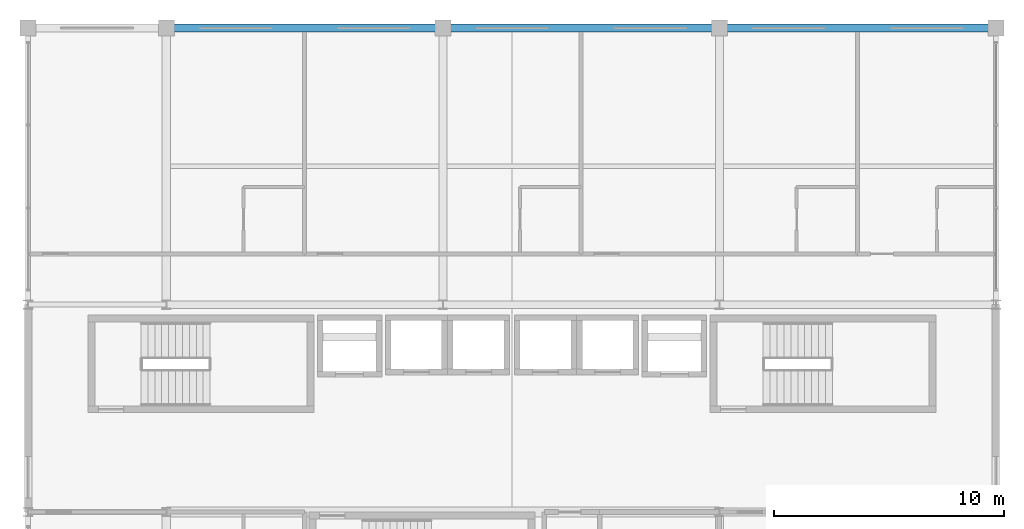
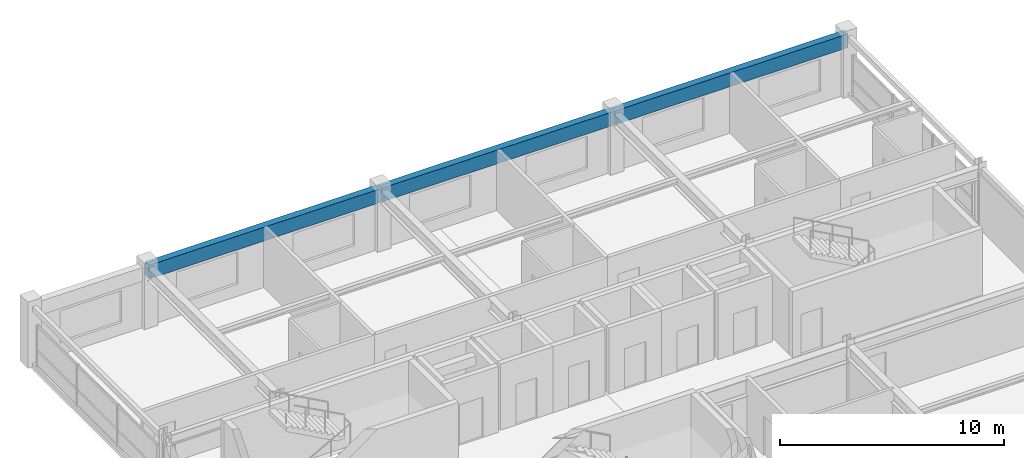
# One storey, part 16 of 22: 3 beams.
"""IFC4 building model written with IfcOpenShell, lengths in metres."""

from ifc_helpers import new_model, si_unit, direction, frame, origin, origin_2d, place, context, subcontext, project, spatial, rectangle, extrude, material, material_profile, profile_set, type_object, element, save


model = new_model("IFC4")

# Units and contexts
model_context = context("Model", 3, precision=1e-05, world=origin(), true_north=direction((0.0, 1.0)))
body_context = subcontext(model_context, "Body", "Model", "MODEL_VIEW")
ifc_project = project(units=[si_unit("LENGTHUNIT", "METRE"), si_unit("AREAUNIT", "SQUARE_METRE"), si_unit("VOLUMEUNIT", "CUBIC_METRE"), si_unit("PLANEANGLEUNIT", "RADIAN"), si_unit("MASSUNIT", "GRAM", prefix="KILO")], contexts=[model_context])

# Site, building, storey
site_placement = place(None, origin())
site = spatial("IfcSite", under=ifc_project, at=site_placement, CompositionType="ELEMENT")
building_placement = place(site_placement, origin())
building = spatial("IfcBuilding", under=site, at=building_placement, Name="Kaldorvane Square Convention Centre", CompositionType="ELEMENT")
storey_placement = place(building_placement, frame((0.0, 0.0, 63.600006103515625)))
storey = spatial("IfcBuildingStorey", under=building, at=storey_placement, Name="L15", CompositionType="ELEMENT", Elevation=63.600006103515625)

# Beams
ifc_material = material(Name="Concrete f'c = 42 MPa (Normalweight)", Category="concrete")
ifc_material_profile = material_profile(ifc_material, rectangle(XDim=0.350006103515625, YDim=0.75, at=origin_2d()), Name="RCSP750X350")
ifc_profile_set = profile_set([ifc_material_profile], Name="Concrete f'c = 42 MPa (Normalweight)")
beam_type = type_object("IfcBeamType", Name="BM-SP-RC750", PredefinedType="SPANDREL", material=ifc_profile_set)
for number, where, z_axis, x_axis, name in (
    (1, (42.0, 117.0, 2.9109954833984375), (1.0, 0.0, 0.0), (0.0, 1.0, 0.0), "Perimeter Spandrel (L15)"),
    (2, (54.0, 117.0, 2.9109954833984375), (1.0, 0.0, 0.0), (0.0, 1.0, 0.0), "Perimeter Spandrel (L15)"),
    (3, (66.0, 117.0, 2.9109954833984375), (1.0, 0.0, 0.0), (0.0, 1.0, 0.0), "Perimeter Spandrel (L15)"),
):
    element("IfcBeam", number, at=place(storey_placement, frame(where, z_axis=z_axis, x_axis=x_axis)), inside=storey, type_object=beam_type, Name=name, PredefinedType="SPANDREL", context=body_context, shape_type="SweptSolid", body=[
        extrude(rectangle(XDim=0.350006103515625, YDim=0.75, at=origin_2d()), origin(), (0.0, 0.0, 1.0), 12.0),
    ])

save(model, "model.ifc")
